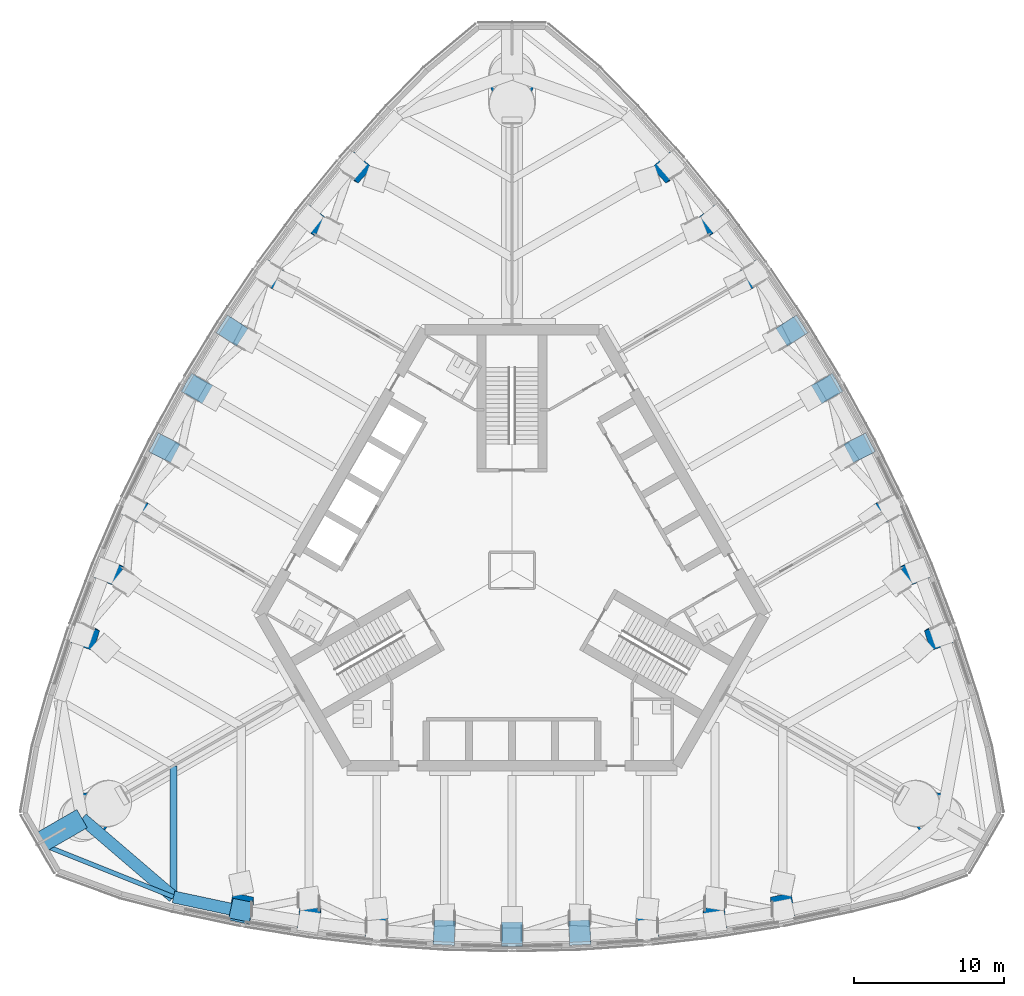
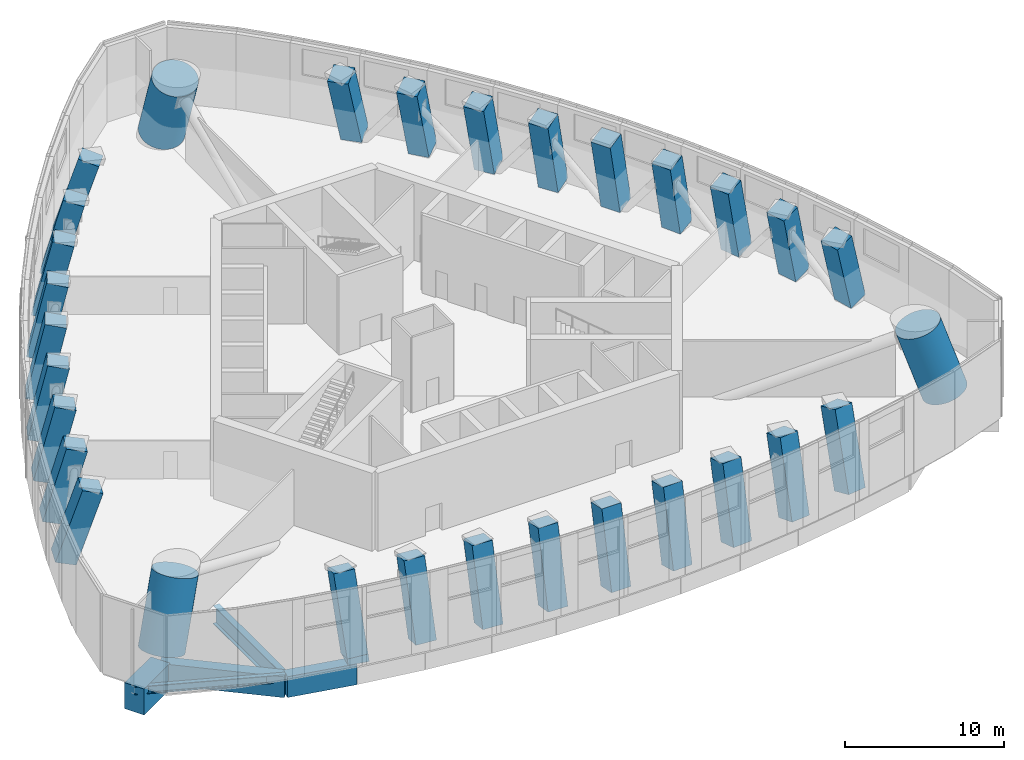
# One storey, part 1 of 22: 30 columns, 5 beams, 1 member.
"""IFC4 building model written with IfcOpenShell, lengths in metres."""

from ifc_helpers import new_model, si_unit, direction, frame, origin, origin_2d, place, context, subcontext, project, spatial, rectangle, circle, i_section, extrude, clip, halfspace, material, material_profile, profile_set, type_object, element, save


model = new_model("IFC4")

# Units and contexts
model_context = context("Model", 3, precision=1e-05, world=origin(), true_north=direction((0.0, 1.0)))
body_context = subcontext(model_context, "Body", "Model", "MODEL_VIEW")
ifc_project = project(units=[si_unit("LENGTHUNIT", "METRE"), si_unit("AREAUNIT", "SQUARE_METRE"), si_unit("VOLUMEUNIT", "CUBIC_METRE"), si_unit("PLANEANGLEUNIT", "RADIAN"), si_unit("MASSUNIT", "GRAM", prefix="KILO")], contexts=[model_context])

# Site, building, storey
site_placement = place(None, origin())
site = spatial("IfcSite", under=ifc_project, at=site_placement, CompositionType="ELEMENT")
building_placement = place(site_placement, origin())
building = spatial("IfcBuilding", under=site, at=building_placement, Name="Trefoil Bronze Tower", CompositionType="ELEMENT")
storey_placement = place(building_placement, frame((0.0, 0.0, 265.300048828125)))
storey = spatial("IfcBuildingStorey", under=building, at=storey_placement, Name="L61", CompositionType="ELEMENT", Elevation=265.300048828125)

# Columns
ifc_material_1 = material(Name="Concrete B80", Category="concrete")
ifc_material_profile_1 = material_profile(ifc_material_1, circle(Radius=1.5, at=origin_2d()), Name="RC D3000")
ifc_profile_set_1 = profile_set([ifc_material_profile_1], Name="Concrete B80")
column_type_1 = type_object("IfcColumnType", Name="Mega column RC D3000", PredefinedType="COLUMN", material=ifc_profile_set_1)
column_1_placement = place(storey_placement, frame((28.578857421875, -16.5, 0.0), z_axis=(-0.273879842323, 0.158113013975, 0.948678083852), x_axis=(-0.499972520799, -0.866041268327, 0.0)))
element("IfcColumn", 1, at=column_1_placement, inside=storey, type_object=column_type_1, Name="Mega column K1 L61", PredefinedType="COLUMN", context=body_context, shape_type="Clipping", body=[
    clip(clip(extrude(circle(Radius=1.5, at=origin_2d()), origin(), (0.0, 0.0, 1.0), 6.32470703125), halfspace(frame((0.0, 0.0, 0.5009765625), z_axis=(-1.0033762616878938e-05, 1.6488271940395816e-05, 0.9999999998137303), x_axis=(0.0, 0.9999999998640685, -1.6488271941225806e-05)), True)), halfspace(frame((0.0, 0.0, 5.823486328125), z_axis=(1.0033762616878938e-05, -1.6488271940395816e-05, -0.9999999998137303), x_axis=(0.0, -0.9999999998640685, 1.6488271941225806e-05)), True)),
])
column_2_placement = place(storey_placement, frame((0.0, 33.0, 0.0), z_axis=(0.0, -0.316227766017, 0.948683298051), x_axis=(1.0, 0.0, 0.0)))
element("IfcColumn", 2, at=column_2_placement, inside=storey, type_object=column_type_1, Name="Mega column K2 L61", PredefinedType="COLUMN", context=body_context, shape_type="Clipping", body=[
    clip(clip(extrude(circle(Radius=1.5, at=origin_2d()), origin(), (0.0, 0.0, 1.0), 6.324462890625), halfspace(frame((0.0, 0.0, 0.5009765625), z_axis=(0.0, 0.0, 1.0), x_axis=(0.0, 1.0, 0.0)), True)), halfspace(frame((0.0, 0.0, 5.823486328125), z_axis=(0.0, 0.0, -1.0), x_axis=(0.0, -1.0, 0.0)), True)),
])
column_3_placement = place(storey_placement, frame((-28.578857421875, -16.5, 0.0), z_axis=(0.273879842323, 0.158113013975, 0.948678083852), x_axis=(-0.499972520799, 0.866041268327, 0.0)))
element("IfcColumn", 3, at=column_3_placement, inside=storey, type_object=column_type_1, Name="Mega column K3 L61", PredefinedType="COLUMN", context=body_context, shape_type="Clipping", body=[
    clip(clip(extrude(circle(Radius=1.5, at=origin_2d()), origin(), (0.0, 0.0, 1.0), 6.32470703125), halfspace(frame((0.0, 0.0, 0.5009765625), z_axis=(1.0033762616878938e-05, 1.6488271940395816e-05, 0.9999999998137303), x_axis=(0.0, 0.9999999998640685, -1.6488271941225806e-05)), True)), halfspace(frame((0.0, 0.0, 5.823486328125), z_axis=(-1.0033762616878938e-05, -1.6488271940395816e-05, -0.9999999998137303), x_axis=(0.0, -0.9999999998640685, 1.6488271941225806e-05)), True)),
])
ifc_material_2 = material(Name="Concrete B80", Category="concrete")
ifc_material_profile_2 = material_profile(ifc_material_2, rectangle(XDim=1.39990234375, YDim=1.39990234375, at=origin_2d()), Name="RC 1400x1400")
ifc_profile_set_2 = profile_set([ifc_material_profile_2], Name="Concrete B80")
column_type_2 = type_object("IfcColumnType", Name="Tube column RC 1400x1400", PredefinedType="COLUMN", material=ifc_profile_set_2)
column_4_placement = place(storey_placement, frame((-18.0, -22.6689453125, 0.0), z_axis=(0.0, 0.295050099886, 0.955481783477), x_axis=(0.97894629738, -0.195031004754, 0.060225028283)))
element("IfcColumn", 4, at=column_4_placement, inside=storey, type_object=column_type_2, Name="Tube column F1/-4 L61", PredefinedType="COLUMN", context=body_context, shape_type="Clipping", body=[
    clip(clip(extrude(rectangle(XDim=1.39990234375, YDim=1.39990234375, at=origin_2d()), origin(), (0.0, 0.0, 1.0), 6.279541015625), halfspace(frame((0.0, 0.0, 0.256591796875), z_axis=(-1.6421682176512298e-06, 7.875810609736522e-06, 0.9999999999676374), x_axis=(0.0, 0.9999999999689858, -7.875810609747142e-06)), True)), halfspace(frame((0.0, 0.0, 6.022705078125), z_axis=(1.6421682176512298e-06, -7.875810609736522e-06, -0.9999999999676374), x_axis=(0.0, -0.9999999999689858, 7.875810609747142e-06)), True)),
])
column_5_placement = place(storey_placement, frame((-13.5, -23.408447265625, 0.0), z_axis=(0.0, 0.258521265218, 0.966005566977), x_axis=(0.987991746105, -0.149254298835, 0.039943258603)))
element("IfcColumn", 5, at=column_5_placement, inside=storey, type_object=column_type_2, Name="Tube column F1/-3 L61", PredefinedType="COLUMN", context=body_context, shape_type="Clipping", body=[
    clip(clip(extrude(rectangle(XDim=1.39990234375, YDim=1.39990234375, at=origin_2d()), origin(), (0.0, 0.0, 1.0), 6.211181640625), halfspace(frame((0.0, 0.0, 0.215087890625), z_axis=(1.5860485529442525e-06, -1.01419759204191e-05, 0.9999999999473125), x_axis=(0.0, 0.9999999999485701, 1.0141975920431854e-05)), True)), halfspace(frame((0.0, 0.0, 5.99609375), z_axis=(-1.5860485529442525e-06, 1.01419759204191e-05, -0.9999999999473125), x_axis=(0.0, -0.9999999999485701, -1.0141975920431854e-05)), True)),
])
column_6_placement = place(storey_placement, frame((-9.0, -23.932861328125, 0.0), z_axis=(0.0, 0.232390914889, 0.972622466673), x_axis=(0.994615241978, -0.100799170868, 0.024084176894)))
element("IfcColumn", 6, at=column_6_placement, inside=storey, type_object=column_type_2, Name="Tube column F1/-2 L61", PredefinedType="COLUMN", context=body_context, shape_type="Clipping", body=[
    clip(clip(extrude(rectangle(XDim=1.39990234375, YDim=1.39990234375, at=origin_2d()), origin(), (0.0, 0.0, 1.0), 6.1689453125), halfspace(frame((0.0, 0.0, 0.1845703125), z_axis=(-3.4589669912279955e-06, 3.319623766562251e-05, 0.9999999994430226), x_axis=(0.0, 0.999999999449005, -3.3196237665821104e-05)), True)), halfspace(frame((0.0, 0.0, 5.984130859375), z_axis=(3.4589669912279955e-06, -3.319623766562251e-05, -0.9999999994430226), x_axis=(0.0, -0.999999999449005, 3.3196237665821104e-05)), True)),
])
column_7_placement = place(storey_placement, frame((-4.5, -24.246337890625, 0.0), z_axis=(0.0, 0.216804279309, 0.976215091296), x_axis=(0.998647449016, -0.050756356161, 0.011272305987)))
element("IfcColumn", 7, at=column_7_placement, inside=storey, type_object=column_type_2, Name="Tube column F1/-1 L61", PredefinedType="COLUMN", context=body_context, shape_type="Clipping", body=[
    clip(clip(extrude(rectangle(XDim=1.39990234375, YDim=1.39990234375, at=origin_2d()), origin(), (0.0, 0.0, 1.0), 6.146240234375), halfspace(frame((0.0, 0.0, 0.164306640625), z_axis=(8.736715374595139e-08, -1.678090834539292e-06, 0.9999999999985882), x_axis=(0.0, 0.999999999998592, 1.6780908345392983e-06)), True)), halfspace(frame((0.0, 0.0, 5.981689453125), z_axis=(-8.736715374595139e-08, 1.678090834539292e-06, -0.9999999999985882), x_axis=(0.0, -0.999999999998592, -1.6780908345392983e-06)), True)),
])
column_8_placement = place(storey_placement, frame((0.0, -24.3505859375, 0.0), z_axis=(0.0, 0.211608999998, 0.977354404052), x_axis=(1.0, 0.0, 0.0)))
element("IfcColumn", 8, at=column_8_placement, inside=storey, type_object=column_type_2, Name="Tube column F1/+0 L61", PredefinedType="COLUMN", context=body_context, shape_type="Clipping", body=[
    clip(clip(extrude(rectangle(XDim=1.39990234375, YDim=1.39990234375, at=origin_2d()), origin(), (0.0, 0.0, 1.0), 6.138916015625), halfspace(frame((0.0, 0.0, 0.152587890625), z_axis=(6.659859586810649e-22, -5.438188048573211e-06, 0.999999999985213), x_axis=(0.0, 0.999999999985213, 5.438188048573211e-06)), True)), halfspace(frame((0.0, 0.0, 5.986328125), z_axis=(-6.659859586810649e-22, 5.438188048573211e-06, -0.999999999985213), x_axis=(0.0, -0.999999999985213, -5.438188048573211e-06)), True)),
])
column_9_placement = place(storey_placement, frame((4.5, -24.246337890625, 0.0), z_axis=(0.0, 0.216804279309, 0.976215091296), x_axis=(0.998647449016, 0.050756356161, -0.011272305987)))
element("IfcColumn", 9, at=column_9_placement, inside=storey, type_object=column_type_2, Name="Tube column F1/+1 L61", PredefinedType="COLUMN", context=body_context, shape_type="Clipping", body=[
    clip(clip(extrude(rectangle(XDim=1.39990234375, YDim=1.39990234375, at=origin_2d()), origin(), (0.0, 0.0, 1.0), 6.146240234375), halfspace(frame((0.0, 0.0, 0.164306640625), z_axis=(-8.736715374595139e-08, -1.678090834539292e-06, 0.9999999999985882), x_axis=(0.0, 0.999999999998592, 1.6780908345392983e-06)), True)), halfspace(frame((0.0, 0.0, 5.981689453125), z_axis=(8.736715374595139e-08, 1.678090834539292e-06, -0.9999999999985882), x_axis=(0.0, -0.999999999998592, -1.6780908345392983e-06)), True)),
])
column_10_placement = place(storey_placement, frame((9.0, -23.932861328125, 0.0), z_axis=(0.0, 0.232390914889, 0.972622466673), x_axis=(0.994615241978, 0.100799170868, -0.024084176894)))
element("IfcColumn", 10, at=column_10_placement, inside=storey, type_object=column_type_2, Name="Tube column F1/+2 L61", PredefinedType="COLUMN", context=body_context, shape_type="Clipping", body=[
    clip(clip(extrude(rectangle(XDim=1.39990234375, YDim=1.39990234375, at=origin_2d()), origin(), (0.0, 0.0, 1.0), 6.1689453125), halfspace(frame((0.0, 0.0, 0.1845703125), z_axis=(3.4589669912279955e-06, 3.319623766562251e-05, 0.9999999994430226), x_axis=(0.0, 0.999999999449005, -3.3196237665821104e-05)), True)), halfspace(frame((0.0, 0.0, 5.984130859375), z_axis=(-3.4589669912279955e-06, -3.319623766562251e-05, -0.9999999994430226), x_axis=(0.0, -0.999999999449005, 3.3196237665821104e-05)), True)),
])
column_11_placement = place(storey_placement, frame((13.5, -23.408447265625, 0.0), z_axis=(0.0, 0.258521265218, 0.966005566977), x_axis=(0.987991746105, 0.149254298835, -0.039943258603)))
element("IfcColumn", 11, at=column_11_placement, inside=storey, type_object=column_type_2, Name="Tube column F1/+3 L61", PredefinedType="COLUMN", context=body_context, shape_type="Clipping", body=[
    clip(clip(extrude(rectangle(XDim=1.39990234375, YDim=1.39990234375, at=origin_2d()), origin(), (0.0, 0.0, 1.0), 6.211181640625), halfspace(frame((0.0, 0.0, 0.215087890625), z_axis=(-1.5860485529442525e-06, -1.01419759204191e-05, 0.9999999999473125), x_axis=(0.0, 0.9999999999485701, 1.0141975920431854e-05)), True)), halfspace(frame((0.0, 0.0, 5.99609375), z_axis=(1.5860485529442525e-06, 1.01419759204191e-05, -0.9999999999473125), x_axis=(0.0, -0.9999999999485701, -1.0141975920431854e-05)), True)),
])
column_12_placement = place(storey_placement, frame((18.0, -22.6689453125, 0.0), z_axis=(0.0, 0.295050099886, 0.955481783477), x_axis=(0.97894629738, 0.195031004754, -0.060225028283)))
element("IfcColumn", 12, at=column_12_placement, inside=storey, type_object=column_type_2, Name="Tube column F1/+4 L61", PredefinedType="COLUMN", context=body_context, shape_type="Clipping", body=[
    clip(clip(extrude(rectangle(XDim=1.39990234375, YDim=1.39990234375, at=origin_2d()), origin(), (0.0, 0.0, 1.0), 6.279541015625), halfspace(frame((0.0, 0.0, 0.256591796875), z_axis=(1.6421682176512298e-06, 7.875810609736522e-06, 0.9999999999676374), x_axis=(0.0, 0.9999999999689858, -7.875810609747142e-06)), True)), halfspace(frame((0.0, 0.0, 6.022705078125), z_axis=(-1.6421682176512298e-06, -7.875810609736522e-06, -0.9999999999676374), x_axis=(0.0, -0.9999999999689858, 7.875810609747142e-06)), True)),
])
column_13_placement = place(storey_placement, frame((28.632080078125, -4.25390625, 0.0), z_axis=(-0.255546793754, -0.147542991373, 0.955472083265), x_axis=(-0.320581329676, 0.945304069978, 0.060231439844)))
element("IfcColumn", 13, at=column_13_placement, inside=storey, type_object=column_type_2, Name="Tube column F2/-4 L61", PredefinedType="COLUMN", context=body_context, shape_type="Clipping", body=[
    clip(clip(extrude(rectangle(XDim=1.39990234375, YDim=1.39990234375, at=origin_2d()), origin(), (0.0, 0.0, 1.0), 6.279541015625), halfspace(frame((0.0, 0.0, 0.2568359375), z_axis=(7.594889496753688e-06, -2.3779827352743425e-05, 0.9999999996884188), x_axis=(0.0, 0.99999999971726, 2.3779827353429264e-05)), True)), halfspace(frame((0.0, 0.0, 6.022705078125), z_axis=(-7.594889496753688e-06, 2.3779827352743425e-05, -0.9999999996884188), x_axis=(0.0, -0.99999999971726, -2.3779827353429264e-05)), True)),
])
column_14_placement = place(storey_placement, frame((27.022216796875, 0.012939453125, 0.0), z_axis=(-0.223891049085, -0.129279785892, 0.96600182976), x_axis=(-0.364788927644, 0.930232982642, 0.03994541618)))
element("IfcColumn", 14, at=column_14_placement, inside=storey, type_object=column_type_2, Name="Tube column F2/-3 L61", PredefinedType="COLUMN", context=body_context, shape_type="Clipping", body=[
    clip(clip(extrude(rectangle(XDim=1.39990234375, YDim=1.39990234375, at=origin_2d()), origin(), (0.0, 0.0, 1.0), 6.211181640625), halfspace(frame((0.0, 0.0, 0.215087890625), z_axis=(1.7703553432418806e-05, -2.2252505130410105e-05, 0.9999999995957052), x_axis=(0.0, 0.999999999752413, 2.2252505133897248e-05)), True)), halfspace(frame((0.0, 0.0, 5.99609375), z_axis=(-1.7703553432418806e-05, 2.2252505130410105e-05, -0.9999999995957052), x_axis=(0.0, -0.999999999752413, -2.2252505133897248e-05)), True)),
])
column_15_placement = place(storey_placement, frame((25.2265625, 4.17236328125, 0.0), z_axis=(-0.201282046639, -0.116233851942, 0.972612579275), x_axis=(-0.410094064626, 0.911725070406, 0.024088465132)))
element("IfcColumn", 15, at=column_15_placement, inside=storey, type_object=column_type_2, Name="Tube column F2/-2 L61", PredefinedType="COLUMN", context=body_context, shape_type="Clipping", body=[
    clip(clip(extrude(rectangle(XDim=1.39990234375, YDim=1.39990234375, at=origin_2d()), origin(), (0.0, 0.0, 1.0), 6.1689453125), halfspace(frame((0.0, 0.0, 0.1845703125), z_axis=(2.1284951141970626e-05, -6.9994991401256534e-06, 0.999999999748979), x_axis=(0.0, 0.9999999999755035, 6.999499141711211e-06)), True)), halfspace(frame((0.0, 0.0, 5.984130859375), z_axis=(-2.1284951141970626e-05, 6.9994991401256534e-06, -0.999999999748979), x_axis=(0.0, -0.9999999999755035, -6.999499141711211e-06)), True)),
])
column_16_placement = place(storey_placement, frame((23.248046875, 8.22607421875, 0.0), z_axis=(-0.187766955789, -0.108401950994, 0.976213392315), x_axis=(-0.4553484777, 0.890241927797, 0.01127270373)))
element("IfcColumn", 16, at=column_16_placement, inside=storey, type_object=column_type_2, Name="Tube column F2/-1 L61", PredefinedType="COLUMN", context=body_context, shape_type="Clipping", body=[
    clip(clip(extrude(rectangle(XDim=1.39990234375, YDim=1.39990234375, at=origin_2d()), origin(), (0.0, 0.0, 1.0), 6.146240234375), halfspace(frame((0.0, 0.0, 0.164306640625), z_axis=(-4.132789407884988e-06, -9.745032667568544e-06, 0.9999999999439773), x_axis=(0.0, 0.9999999999525172, 9.745032667651767e-06)), True)), halfspace(frame((0.0, 0.0, 5.98193359375), z_axis=(4.132789407884988e-06, 9.745032667568544e-06, -0.9999999999439773), x_axis=(0.0, -0.9999999999525172, -9.745032667651767e-06)), True)),
])
column_17_placement = place(storey_placement, frame((21.08837890625, 12.17529296875, 0.0), z_axis=(-0.183254498096, -0.105784931626, 0.977357323177), x_axis=(-0.499939380126, 0.866060399857, 0.0)))
element("IfcColumn", 17, at=column_17_placement, inside=storey, type_object=column_type_2, Name="Tube column F2/+0 L61", PredefinedType="COLUMN", context=body_context, shape_type="Clipping", body=[
    clip(clip(extrude(rectangle(XDim=1.39990234375, YDim=1.39990234375, at=origin_2d()), origin(), (0.0, 0.0, 1.0), 6.138916015625), halfspace(frame((0.0, 0.0, 0.152587890625), z_axis=(-1.4810932677108633e-05, 8.35661905923546e-06, 0.9999999998554017), x_axis=(0.0, 0.9999999999650835, -8.356619060152029e-06)), True)), halfspace(frame((0.0, 0.000244140625, 5.986328125), z_axis=(1.4810932677108633e-05, -8.35661905923546e-06, -0.9999999998554017), x_axis=(0.0, -0.9999999999650835, 8.356619060152029e-06)), True)),
])
column_18_placement = place(storey_placement, frame((18.748046875, 16.020263671875, 0.0), z_axis=(-0.187766955789, -0.108401950994, 0.976213392315), x_axis=(-0.543261997309, 0.839487539175, -0.01127270373)))
element("IfcColumn", 18, at=column_18_placement, inside=storey, type_object=column_type_2, Name="Tube column F2/+1 L61", PredefinedType="COLUMN", context=body_context, shape_type="Clipping", body=[
    clip(clip(extrude(rectangle(XDim=1.39990234375, YDim=1.39990234375, at=origin_2d()), origin(), (0.0, 0.0, 1.0), 6.146240234375), halfspace(frame((0.0, 0.0, 0.164306640625), z_axis=(-5.122421756978066e-06, -9.263174689327915e-06, 0.9999999999439773), x_axis=(0.0, 0.9999999999570969, 9.263174689449444e-06)), True)), halfspace(frame((0.0, 0.0, 5.981689453125), z_axis=(5.122421756978066e-06, 9.263174689327915e-06, -0.9999999999439773), x_axis=(0.0, -0.9999999999570969, -9.263174689449444e-06)), True)),
])
column_19_placement = place(storey_placement, frame((16.2265625, 19.7607421875, 0.0), z_axis=(-0.201282046639, -0.116233851942, 0.972612579275), x_axis=(-0.584672708009, 0.810911567532, -0.024088465132)))
element("IfcColumn", 19, at=column_19_placement, inside=storey, type_object=column_type_2, Name="Tube column F2/+2 L61", PredefinedType="COLUMN", context=body_context, shape_type="Clipping", body=[
    clip(clip(extrude(rectangle(XDim=1.39990234375, YDim=1.39990234375, at=origin_2d()), origin(), (0.0, 0.0, 1.0), 6.1689453125), halfspace(frame((0.0, 0.0, 0.1845703125), z_axis=(1.9384733546467386e-05, -1.123718108159144e-05, 0.999999999748979), x_axis=(0.0, 0.999999999936863, 1.1237181083702726e-05)), True)), halfspace(frame((0.0, 0.0, 5.984130859375), z_axis=(-1.9384733546467386e-05, 1.123718108159144e-05, -0.999999999748979), x_axis=(0.0, -0.999999999936863, -1.1237181083702726e-05)), True)),
])
column_20_placement = place(storey_placement, frame((13.522216796875, 23.3955078125, 0.0), z_axis=(-0.223892186637, -0.129241135826, 0.966006737851), x_axis=(-0.623193661638, 0.78104689372, -0.039942582606)))
element("IfcColumn", 20, at=column_20_placement, inside=storey, type_object=column_type_2, Name="Tube column F2/+3 L61", PredefinedType="COLUMN", context=body_context, shape_type="Clipping", body=[
    clip(clip(extrude(rectangle(XDim=1.39990234375, YDim=1.39990234375, at=origin_2d()), origin(), (0.0, 0.0, 1.0), 6.211181640625), halfspace(frame((0.0, 0.0, 0.215087890625), z_axis=(-2.063244910444073e-05, -2.579208150971235e-06, 0.9999999997838249), x_axis=(0.0, 0.9999999999966739, 2.579208151520217e-06)), True)), halfspace(frame((0.0, 0.0, 5.99609375), z_axis=(2.063244910444073e-05, 2.579208150971235e-06, -0.9999999997838249), x_axis=(0.0, -0.9999999999966739, -2.579208151520217e-06)), True)),
])
column_21_placement = place(storey_placement, frame((10.632080078125, 26.923095703125, 0.0), z_axis=(-0.255546793754, -0.147542991373, 0.955472083265), x_axis=(-0.65837980311, 0.750272089652, -0.060231439844)))
element("IfcColumn", 21, at=column_21_placement, inside=storey, type_object=column_type_2, Name="Tube column F2/+4 L61", PredefinedType="COLUMN", context=body_context, shape_type="Clipping", body=[
    clip(clip(extrude(rectangle(XDim=1.39990234375, YDim=1.39990234375, at=origin_2d()), origin(), (0.0, 0.0, 1.0), 6.279541015625), halfspace(frame((0.0, 0.000244140625, 0.2568359375), z_axis=(-2.541375274736635e-06, -2.483352466137179e-05, 0.9999999996884188), x_axis=(0.0, 0.9999999996916481, 2.4833524661451983e-05)), True)), halfspace(frame((0.0, 0.0, 6.02294921875), z_axis=(2.541375274736635e-06, 2.483352466137179e-05, -0.9999999996884188), x_axis=(0.0, -0.9999999996916481, -2.4833524661451983e-05)), True)),
])
column_22_placement = place(storey_placement, frame((-10.632080078125, 26.923095703125, 0.0), z_axis=(0.255546793754, -0.147542991373, 0.955472083265), x_axis=(-0.65837980311, -0.750272089652, 0.060231439844)))
element("IfcColumn", 22, at=column_22_placement, inside=storey, type_object=column_type_2, Name="Tube column F3/-4 L61", PredefinedType="COLUMN", context=body_context, shape_type="Clipping", body=[
    clip(clip(extrude(rectangle(XDim=1.39990234375, YDim=1.39990234375, at=origin_2d()), origin(), (0.0, 0.0, 1.0), 6.279541015625), halfspace(frame((0.0, 0.000244140625, 0.2568359375), z_axis=(2.541375274736635e-06, -2.483352466137179e-05, 0.9999999996884188), x_axis=(0.0, 0.9999999996916481, 2.4833524661451983e-05)), True)), halfspace(frame((0.0, 0.0, 6.02294921875), z_axis=(-2.541375274736635e-06, 2.483352466137179e-05, -0.9999999996884188), x_axis=(0.0, -0.9999999996916481, -2.4833524661451983e-05)), True)),
])
column_23_placement = place(storey_placement, frame((-13.522216796875, 23.3955078125, 0.0), z_axis=(0.223892186637, -0.129241135826, 0.966006737851), x_axis=(-0.623193661638, -0.78104689372, 0.039942582606)))
element("IfcColumn", 23, at=column_23_placement, inside=storey, type_object=column_type_2, Name="Tube column F3/-3 L61", PredefinedType="COLUMN", context=body_context, shape_type="Clipping", body=[
    clip(clip(extrude(rectangle(XDim=1.39990234375, YDim=1.39990234375, at=origin_2d()), origin(), (0.0, 0.0, 1.0), 6.211181640625), halfspace(frame((0.0, 0.0, 0.215087890625), z_axis=(2.063244910444073e-05, -2.579208150971235e-06, 0.9999999997838249), x_axis=(0.0, 0.9999999999966739, 2.579208151520217e-06)), True)), halfspace(frame((0.0, 0.0, 5.99609375), z_axis=(-2.063244910444073e-05, 2.579208150971235e-06, -0.9999999997838249), x_axis=(0.0, -0.9999999999966739, -2.579208151520217e-06)), True)),
])
column_24_placement = place(storey_placement, frame((-16.2265625, 19.7607421875, 0.0), z_axis=(0.201282046639, -0.116233851942, 0.972612579275), x_axis=(-0.584672708009, -0.810911567532, 0.024088465132)))
element("IfcColumn", 24, at=column_24_placement, inside=storey, type_object=column_type_2, Name="Tube column F3/-2 L61", PredefinedType="COLUMN", context=body_context, shape_type="Clipping", body=[
    clip(clip(extrude(rectangle(XDim=1.39990234375, YDim=1.39990234375, at=origin_2d()), origin(), (0.0, 0.0, 1.0), 6.1689453125), halfspace(frame((0.0, 0.0, 0.1845703125), z_axis=(-1.9384733546467386e-05, -1.123718108159144e-05, 0.999999999748979), x_axis=(0.0, 0.999999999936863, 1.1237181083702726e-05)), True)), halfspace(frame((0.0, 0.0, 5.984130859375), z_axis=(1.9384733546467386e-05, 1.123718108159144e-05, -0.999999999748979), x_axis=(0.0, -0.999999999936863, -1.1237181083702726e-05)), True)),
])
column_25_placement = place(storey_placement, frame((-18.748046875, 16.020263671875, 0.0), z_axis=(0.187766955789, -0.108401950994, 0.976213392315), x_axis=(-0.543261997309, -0.839487539175, 0.01127270373)))
element("IfcColumn", 25, at=column_25_placement, inside=storey, type_object=column_type_2, Name="Tube column F3/-1 L61", PredefinedType="COLUMN", context=body_context, shape_type="Clipping", body=[
    clip(clip(extrude(rectangle(XDim=1.39990234375, YDim=1.39990234375, at=origin_2d()), origin(), (0.0, 0.0, 1.0), 6.146240234375), halfspace(frame((0.0, 0.0, 0.164306640625), z_axis=(5.122421756978066e-06, -9.263174689327915e-06, 0.9999999999439773), x_axis=(0.0, 0.9999999999570969, 9.263174689449444e-06)), True)), halfspace(frame((0.0, 0.0, 5.981689453125), z_axis=(-5.122421756978066e-06, 9.263174689327915e-06, -0.9999999999439773), x_axis=(0.0, -0.9999999999570969, -9.263174689449444e-06)), True)),
])
column_26_placement = place(storey_placement, frame((-21.08837890625, 12.17529296875, 0.0), z_axis=(0.183254498096, -0.105784931626, 0.977357323177), x_axis=(-0.499939380126, -0.866060399857, 0.0)))
element("IfcColumn", 26, at=column_26_placement, inside=storey, type_object=column_type_2, Name="Tube column F3/+0 L61", PredefinedType="COLUMN", context=body_context, shape_type="Clipping", body=[
    clip(clip(extrude(rectangle(XDim=1.39990234375, YDim=1.39990234375, at=origin_2d()), origin(), (0.0, 0.0, 1.0), 6.138916015625), halfspace(frame((0.0, 0.0, 0.152587890625), z_axis=(1.4810932677108633e-05, 8.35661905923546e-06, 0.9999999998554017), x_axis=(0.0, 0.9999999999650835, -8.356619060152029e-06)), True)), halfspace(frame((0.0, 0.000244140625, 5.986328125), z_axis=(-1.4810932677108633e-05, -8.35661905923546e-06, -0.9999999998554017), x_axis=(0.0, -0.9999999999650835, 8.356619060152029e-06)), True)),
])
column_27_placement = place(storey_placement, frame((-23.248046875, 8.22607421875, 0.0), z_axis=(0.187766955789, -0.108401950994, 0.976213392315), x_axis=(-0.4553484777, -0.890241927797, -0.01127270373)))
element("IfcColumn", 27, at=column_27_placement, inside=storey, type_object=column_type_2, Name="Tube column F3/+1 L61", PredefinedType="COLUMN", context=body_context, shape_type="Clipping", body=[
    clip(clip(extrude(rectangle(XDim=1.39990234375, YDim=1.39990234375, at=origin_2d()), origin(), (0.0, 0.0, 1.0), 6.146240234375), halfspace(frame((0.0, 0.0, 0.164306640625), z_axis=(4.132789407884988e-06, -9.745032667568544e-06, 0.9999999999439773), x_axis=(0.0, 0.9999999999525172, 9.745032667651767e-06)), True)), halfspace(frame((0.0, 0.0, 5.98193359375), z_axis=(-4.132789407884988e-06, 9.745032667568544e-06, -0.9999999999439773), x_axis=(0.0, -0.9999999999525172, -9.745032667651767e-06)), True)),
])
column_28_placement = place(storey_placement, frame((-25.2265625, 4.17236328125, 0.0), z_axis=(0.201282046639, -0.116233851942, 0.972612579275), x_axis=(-0.410094064626, -0.911725070406, -0.024088465132)))
element("IfcColumn", 28, at=column_28_placement, inside=storey, type_object=column_type_2, Name="Tube column F3/+2 L61", PredefinedType="COLUMN", context=body_context, shape_type="Clipping", body=[
    clip(clip(extrude(rectangle(XDim=1.39990234375, YDim=1.39990234375, at=origin_2d()), origin(), (0.0, 0.0, 1.0), 6.1689453125), halfspace(frame((0.0, 0.0, 0.1845703125), z_axis=(-2.1284951141970626e-05, -6.9994991401256534e-06, 0.999999999748979), x_axis=(0.0, 0.9999999999755035, 6.999499141711211e-06)), True)), halfspace(frame((0.0, 0.0, 5.984130859375), z_axis=(2.1284951141970626e-05, 6.9994991401256534e-06, -0.999999999748979), x_axis=(0.0, -0.9999999999755035, -6.999499141711211e-06)), True)),
])
column_29_placement = place(storey_placement, frame((-27.022216796875, 0.012939453125, 0.0), z_axis=(0.223891049085, -0.129279785892, 0.96600182976), x_axis=(-0.364788927644, -0.930232982642, -0.03994541618)))
element("IfcColumn", 29, at=column_29_placement, inside=storey, type_object=column_type_2, Name="Tube column F3/+3 L61", PredefinedType="COLUMN", context=body_context, shape_type="Clipping", body=[
    clip(clip(extrude(rectangle(XDim=1.39990234375, YDim=1.39990234375, at=origin_2d()), origin(), (0.0, 0.0, 1.0), 6.211181640625), halfspace(frame((0.0, 0.0, 0.215087890625), z_axis=(-1.7703553432418806e-05, -2.2252505130410105e-05, 0.9999999995957052), x_axis=(0.0, 0.999999999752413, 2.2252505133897248e-05)), True)), halfspace(frame((0.0, 0.0, 5.99609375), z_axis=(1.7703553432418806e-05, 2.2252505130410105e-05, -0.9999999995957052), x_axis=(0.0, -0.999999999752413, -2.2252505133897248e-05)), True)),
])
column_30_placement = place(storey_placement, frame((-28.632080078125, -4.25390625, 0.0), z_axis=(0.255546793754, -0.147542991373, 0.955472083265), x_axis=(-0.320581329676, -0.945304069978, -0.060231439844)))
element("IfcColumn", 30, at=column_30_placement, inside=storey, type_object=column_type_2, Name="Tube column F3/+4 L61", PredefinedType="COLUMN", context=body_context, shape_type="Clipping", body=[
    clip(clip(extrude(rectangle(XDim=1.39990234375, YDim=1.39990234375, at=origin_2d()), origin(), (0.0, 0.0, 1.0), 6.279541015625), halfspace(frame((0.0, 0.0, 0.2568359375), z_axis=(-7.594889496753688e-06, -2.3779827352743425e-05, 0.9999999996884188), x_axis=(0.0, 0.99999999971726, 2.3779827353429264e-05)), True)), halfspace(frame((0.0, 0.0, 6.022705078125), z_axis=(7.594889496753688e-06, 2.3779827352743425e-05, -0.9999999996884188), x_axis=(0.0, -0.99999999971726, -2.3779827353429264e-05)), True)),
])

# Member
ifc_material_3 = material(Name="Concrete B80", Category="concrete")
ifc_material_profile_3 = material_profile(ifc_material_3, rectangle(XDim=1.39990234375, YDim=1.39990234375, at=origin_2d()), Name="RC 1400x1400")
ifc_profile_set_3 = profile_set([ifc_material_profile_3], Name="Concrete B80")
member_type = type_object("IfcMemberType", Name="Column node RC 1400x1400", PredefinedType="MEMBER", material=ifc_profile_set_3)
member_placement = place(storey_placement, frame((-18.0, -22.744873046875, -0.245361328125), z_axis=(0.0, 0.295187934883, 0.955439209526), x_axis=(0.97894629738, -0.195022314645, 0.060253162883)))
element("IfcMember", 31, at=member_placement, inside=storey, type_object=member_type, Name="Column node TC1414 L61 bottom", PredefinedType="MEMBER", context=body_context, shape_type="Clipping", body=[
    clip(extrude(rectangle(XDim=1.39990234375, YDim=1.39990234375, at=origin_2d()), origin(), (0.0, 0.0, 1.0), 0.513671875), halfspace(frame((0.0, 0.0, 0.2568359375), z_axis=(0.0602531628828244, -0.28897313588517376, 0.9554392095258101), x_axis=(0.0, 0.9571782802592637, 0.2894991188240796)), True)),
])

# Beams
ifc_material_4 = material(Name="Concrete B80", Category="concrete")
ifc_material_profile_4 = material_profile(ifc_material_4, rectangle(XDim=1.39990234375, YDim=2.0, at=origin_2d()), Name="RC 1400x2000")
ifc_profile_set_4 = profile_set([ifc_material_profile_4], Name="Concrete B80")
beam_type_1 = type_object("IfcBeamType", Name="Corner cantilever RC 1400x2000", PredefinedType="BEAM", material=ifc_profile_set_4)
beam_1_placement = place(storey_placement, frame((-28.578857421875, -16.5, -1.25), z_axis=(-0.866016004958, -0.500016278891, 0.0), x_axis=(0.500016278891, -0.866016004958, 0.0)))
element("IfcBeam", 32, at=beam_1_placement, inside=storey, type_object=beam_type_1, Name="Corner cantilever K3 L61", PredefinedType="BEAM", context=body_context, shape_type="SweptSolid", body=[
    extrude(rectangle(XDim=1.39990234375, YDim=2.0, at=origin_2d()), origin(), (0.0, 0.0, 1.0), 3.28466796875),
])
ifc_material_5 = material(Name="Steel C355", Category="steel")
ifc_material_profile_5 = material_profile(ifc_material_5, i_section(OverallWidth=0.300048828125, OverallDepth=0.60009765625, WebThickness=0.015380859375, FlangeThickness=0.030029296875, FilletRadius=0.027099609375, at=origin_2d()), Name="HEB 600")
ifc_profile_set_5 = profile_set([ifc_material_profile_5], Name="Steel C355")
beam_type_2 = type_object("IfcBeamType", Name="Corner edge beam HEB 600", PredefinedType="BEAM", material=ifc_profile_set_5)
beam_2_placement = place(storey_placement, frame((-22.5, -21.71044921875, -0.550048828125), z_axis=(-0.92852048463, 0.371281173266, 0.0), x_axis=(-0.371281173266, -0.92852048463, 0.0)))
element("IfcBeam", 33, at=beam_2_placement, inside=storey, type_object=beam_type_2, Name="Corner edge beam F1B L61", PredefinedType="BEAM", context=body_context, shape_type="SweptSolid", body=[
    extrude(i_section(OverallWidth=0.300048828125, OverallDepth=0.60009765625, WebThickness=0.015380859375, FlangeThickness=0.030029296875, FilletRadius=0.027099609375, at=origin_2d()), origin(), (0.0, 0.0, 1.0), 9.6103515625),
])
ifc_material_6 = material(Name="Concrete B80", Category="concrete")
ifc_material_profile_6 = material_profile(ifc_material_6, rectangle(XDim=0.800048828125, YDim=1.60009765625, at=origin_2d()), Name="RC 800x1600")
ifc_profile_set_6 = profile_set([ifc_material_profile_6], Name="Concrete B80")
beam_type_3 = type_object("IfcBeamType", Name="End spandrel beam RC 800x1600", PredefinedType="SPANDREL", material=ifc_profile_set_6)
beam_3_placement = place(storey_placement, frame((-28.578857421875, -16.5, -1.050048828125), z_axis=(0.759256602365, -0.650791373456, 0.0), x_axis=(0.650791373456, 0.759256602365, 0.0)))
element("IfcBeam", 34, at=beam_3_placement, inside=storey, type_object=beam_type_3, Name="Spandrel F1.1 L61", PredefinedType="SPANDREL", context=body_context, shape_type="SweptSolid", body=[
    extrude(rectangle(XDim=0.800048828125, YDim=1.60009765625, at=origin_2d()), origin(), (0.0, 0.0, 1.0), 8.00634765625),
])
ifc_material_7 = material(Name="Steel C355", Category="steel")
ifc_material_profile_7 = material_profile(ifc_material_7, i_section(OverallWidth=0.449951171875, OverallDepth=1.39990234375, WebThickness=0.02294921875, FlangeThickness=0.044921875, FilletRadius=0.011962890625, at=origin_2d()), Name="WPG 1400")
ifc_profile_set_7 = profile_set([ifc_material_profile_7], Name="Steel C355")
beam_type_4 = type_object("IfcBeamType", Name="Floor beam WPG 1400", PredefinedType="BEAM", material=ifc_profile_set_7)
beam_4_placement = place(storey_placement, frame((-22.5, -21.71044921875, -0.949951171875), z_axis=(0.0, 1.0, 0.0), x_axis=(-1.0, 0.0, 0.0)))
element("IfcBeam", 35, at=beam_4_placement, inside=storey, type_object=beam_type_4, Name="Floor beam F1/-5 L61", PredefinedType="BEAM", context=body_context, shape_type="SweptSolid", body=[
    extrude(i_section(OverallWidth=0.449951171875, OverallDepth=1.39990234375, WebThickness=0.02294921875, FlangeThickness=0.044921875, FilletRadius=0.011962890625, at=origin_2d()), origin(), (0.0, 0.0, 1.0), 8.719970703125),
])
ifc_material_8 = material(Name="Concrete B80", Category="concrete")
ifc_material_profile_8 = material_profile(ifc_material_8, rectangle(XDim=0.800048828125, YDim=1.60009765625, at=origin_2d()), Name="RC 800x1600")
ifc_profile_set_8 = profile_set([ifc_material_profile_8], Name="Concrete B80")
beam_type_5 = type_object("IfcBeamType", Name="Spandrel beam RC 800x1600", PredefinedType="SPANDREL", material=ifc_profile_set_8)
beam_5_placement = place(storey_placement, frame((-22.5, -21.71044921875, -1.050048828125), z_axis=(0.978059483036, -0.208325820877, 0.0), x_axis=(0.208325820877, 0.978059483036, 0.0)))
element("IfcBeam", 36, at=beam_5_placement, inside=storey, type_object=beam_type_5, Name="Spandrel F1.2 L61", PredefinedType="SPANDREL", context=body_context, shape_type="SweptSolid", body=[
    extrude(rectangle(XDim=0.800048828125, YDim=1.60009765625, at=origin_2d()), origin(), (0.0, 0.0, 1.0), 4.600830078125),
])

save(model, "model.ifc")
